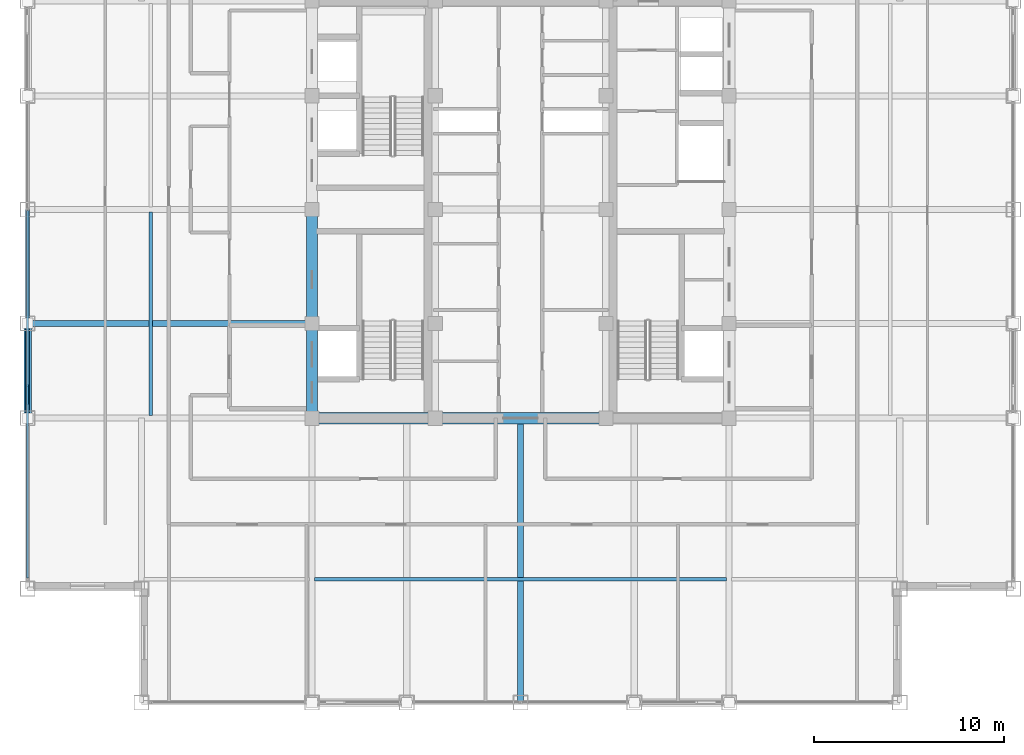
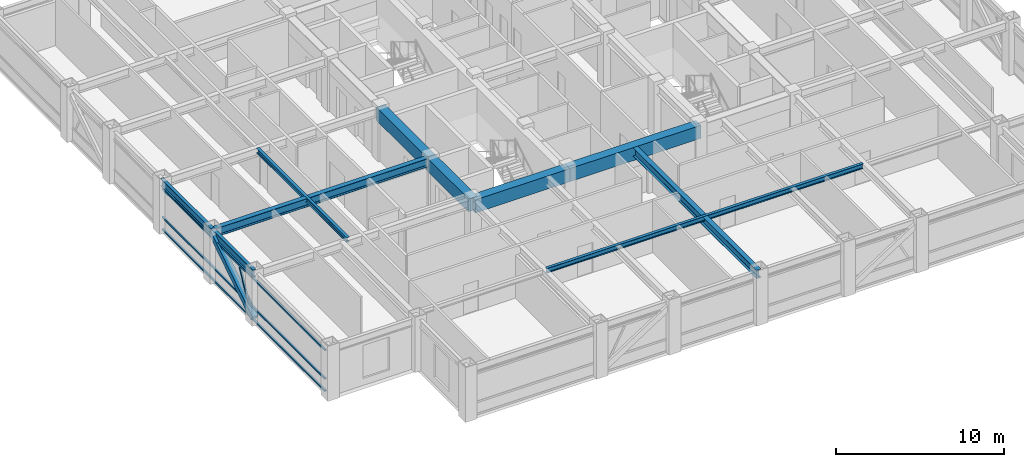
# One storey, part 5 of 28: 10 beams, 5 members, 1 element without a shape of its own.
"""IFC4 building model written with IfcOpenShell, lengths in metres."""

from ifc_helpers import new_model, si_unit, direction, frame, origin, origin_2d, place, context, subcontext, project, spatial, rectangle, hollow_rectangle, i_section, extrude, source, transform, mapped, material, material_profile, profile_set, type_object, element, aggregate, save


model = new_model("IFC4")

# Units and contexts
model_context = context("Model", 3, precision=1e-05, world=origin(), true_north=direction((0.0, 1.0)))
body_context = subcontext(model_context, "Body", "Model", "MODEL_VIEW")
ifc_project = project(units=[si_unit("LENGTHUNIT", "METRE"), si_unit("AREAUNIT", "SQUARE_METRE"), si_unit("VOLUMEUNIT", "CUBIC_METRE"), si_unit("PLANEANGLEUNIT", "RADIAN"), si_unit("MASSUNIT", "GRAM", prefix="KILO")], contexts=[model_context])

# Site, building, storey
site_placement = place(None, origin())
site = spatial("IfcSite", under=ifc_project, at=site_placement, CompositionType="ELEMENT")
building_placement = place(site_placement, origin())
building = spatial("IfcBuilding", under=site, at=building_placement, Name="Khorayat Bourse Tower", CompositionType="ELEMENT")
storey_placement = place(building_placement, frame((0.0, 0.0, 330.300048828125)))
storey = spatial("IfcBuildingStorey", under=building, at=storey_placement, Name="L78", CompositionType="ELEMENT", Elevation=330.300048828125)

# Beams
ifc_material_1 = material(Name="Concrete C60/75", Category="concrete")
ifc_material_profile_1 = material_profile(ifc_material_1, rectangle(XDim=0.60009765625, YDim=0.949951171875, at=origin_2d()), Name="RC 600x950")
ifc_profile_set_1 = profile_set([ifc_material_profile_1], Name="Concrete C60/75")
beam_type_1 = type_object("IfcBeamType", Name="BM-COUP-950", PredefinedType="BEAM", material=ifc_profile_set_1)
shared_shape_1 = source(origin(), body_context, "Body", "SweptSolid", [
    extrude(rectangle(XDim=0.60009765625, YDim=0.949951171875, at=origin_2d()), origin(), (0.0, 0.0, 1.0), 5.0),
])
beam_1_placement = place(storey_placement, frame((-11.0, -11.0, 3.264892578125), z_axis=(0.0, 1.0, 0.0), x_axis=(-1.0, 0.0, 0.0)))
element("IfcBeam", 1, at=beam_1_placement, inside=storey, type_object=beam_type_1, Name="L78 BM-COUP-950 BM-L78-CRX-01", PredefinedType="BEAM", context=body_context, shape_type="MappedRepresentation", body=[
    mapped(shared_shape_1, transform((0.0, 0.0, 0.0), scale=1.0)),
])
shared_shape_2 = source(origin(), body_context, "Body", "SweptSolid", [
    extrude(rectangle(XDim=0.60009765625, YDim=0.949951171875, at=origin_2d()), origin(), (0.0, 0.0, 1.0), 6.0),
])
beam_2_placement = place(storey_placement, frame((-11.0, -6.0, 3.264892578125), z_axis=(0.0, 1.0, 0.0), x_axis=(-1.0, 0.0, 0.0)))
element("IfcBeam", 2, at=beam_2_placement, inside=storey, type_object=beam_type_1, Name="L78 BM-COUP-950 BM-L78-CRX-02", PredefinedType="BEAM", context=body_context, shape_type="MappedRepresentation", body=[
    mapped(shared_shape_2, transform((0.0, 0.0, 0.0), scale=1.0)),
])
shared_shape_3 = source(origin(), body_context, "Body", "SweptSolid", [
    extrude(rectangle(XDim=0.60009765625, YDim=0.949951171875, at=origin_2d()), origin(), (0.0, 0.0, 1.0), 6.5),
])
beam_3_placement = place(storey_placement, frame((-11.0, -11.0, 3.264892578125), z_axis=(1.0, 0.0, 0.0), x_axis=(0.0, 1.0, 0.0)))
element("IfcBeam", 3, at=beam_3_placement, inside=storey, type_object=beam_type_1, Name="L78 BM-COUP-950 BM-L78-CRY-17", PredefinedType="BEAM", context=body_context, shape_type="MappedRepresentation", body=[
    mapped(shared_shape_3, transform((0.0, 0.0, 0.0), scale=1.0)),
])
shared_shape_4 = source(origin(), body_context, "Body", "SweptSolid", [
    extrude(rectangle(XDim=0.60009765625, YDim=0.949951171875, at=origin_2d()), origin(), (0.0, 0.0, 1.0), 9.0),
])
beam_4_placement = place(storey_placement, frame((-4.5, -11.0, 3.264892578125), z_axis=(1.0, 0.0, 0.0), x_axis=(0.0, 1.0, 0.0)))
element("IfcBeam", 4, at=beam_4_placement, inside=storey, type_object=beam_type_1, Name="L78 BM-COUP-950 BM-L78-CRY-18", PredefinedType="BEAM", context=body_context, shape_type="MappedRepresentation", body=[
    mapped(shared_shape_4, transform((0.0, 0.0, 0.0), scale=1.0)),
])
ifc_material_2 = material(Name="Steel ASTM A992 Grade 50", Category="steel")
ifc_material_profile_2 = material_profile(ifc_material_2, i_section(OverallWidth=0.202880859375, OverallDepth=0.346923828125, WebThickness=0.0078125, FlangeThickness=0.013427734375, FilletRadius=0.010009765625, at=origin_2d()), Name="W360X64")
ifc_profile_set_2 = profile_set([ifc_material_profile_2], Name="Steel ASTM A992 Grade 50")
beam_type_2 = type_object("IfcBeamType", Name="BM-JOIST-360", PredefinedType="JOIST", material=ifc_profile_set_2)
shared_shape_5 = source(origin(), body_context, "Body", "SweptSolid", [
    extrude(i_section(OverallWidth=0.202880859375, OverallDepth=0.346923828125, WebThickness=0.0078125, FlangeThickness=0.013427734375, FilletRadius=0.010009765625, at=origin_2d()), origin(), (0.0, 0.0, 1.0), 21.740234375),
])
beam_5_placement = place(storey_placement, frame((-10.8701171875, -19.5, 3.56640625), z_axis=(1.0, 0.0, 0.0), x_axis=(0.0, 1.0, 0.0)))
element("IfcBeam", 5, at=beam_5_placement, inside=storey, type_object=beam_type_2, Name="L78 BM-JOIST-360 BM-L78-JSTX-081", PredefinedType="JOIST", context=body_context, shape_type="MappedRepresentation", body=[
    mapped(shared_shape_5, transform((0.0, 0.0, 0.0), scale=1.0)),
])
shared_shape_6 = source(origin(), body_context, "Body", "SweptSolid", [
    extrude(i_section(OverallWidth=0.202880859375, OverallDepth=0.346923828125, WebThickness=0.0078125, FlangeThickness=0.013427734375, FilletRadius=0.010009765625, at=origin_2d()), origin(), (0.0, 0.0, 1.0), 10.740234375),
])
beam_6_placement = place(storey_placement, frame((-19.5, -10.8701171875, 3.56640625), z_axis=(0.0, 1.0, 0.0), x_axis=(-1.0, 0.0, 0.0)))
element("IfcBeam", 6, at=beam_6_placement, inside=storey, type_object=beam_type_2, Name="L78 BM-JOIST-360 BM-L78-JSTY-086", PredefinedType="JOIST", context=body_context, shape_type="MappedRepresentation", body=[
    mapped(shared_shape_6, transform((0.0, 0.0, 0.0), scale=1.0)),
])
ifc_material_profile_3 = material_profile(ifc_material_2, i_section(OverallWidth=0.214111328125, OverallDepth=0.549072265625, WebThickness=0.0146484375, FlangeThickness=0.023681640625, FilletRadius=0.013916015625, at=origin_2d()), Name="W530X138")
ifc_profile_set_3 = profile_set([ifc_material_profile_3], Name="Steel ASTM A992 Grade 50")
beam_type_3 = type_object("IfcBeamType", Name="BM-SPAN-530", PredefinedType="SPANDREL", material=ifc_profile_set_3)
shared_shape_7 = source(origin(), body_context, "Body", "SweptSolid", [
    extrude(i_section(OverallWidth=0.214111328125, OverallDepth=0.549072265625, WebThickness=0.0146484375, FlangeThickness=0.023681640625, FilletRadius=0.013916015625, at=origin_2d()), origin(), (0.0, 0.0, 1.0), 5.0),
])
beam_7_placement = place(storey_placement, frame((-26.0, -11.0, 3.46533203125), z_axis=(0.0, 1.0, 0.0), x_axis=(-1.0, 0.0, 0.0)))
element("IfcBeam", 7, at=beam_7_placement, inside=storey, type_object=beam_type_3, Name="L78 BM-SPAN-530 BM-L78-SPN-052", PredefinedType="SPANDREL", context=body_context, shape_type="MappedRepresentation", body=[
    mapped(shared_shape_7, transform((0.0, 0.0, 0.0), scale=1.0)),
])
shared_shape_8 = source(origin(), body_context, "Body", "SweptSolid", [
    extrude(i_section(OverallWidth=0.214111328125, OverallDepth=0.549072265625, WebThickness=0.0146484375, FlangeThickness=0.023681640625, FilletRadius=0.013916015625, at=origin_2d()), origin(), (0.0, 0.0, 1.0), 6.0),
])
beam_8_placement = place(storey_placement, frame((-26.0, -6.0, 3.46533203125), z_axis=(0.0, 1.0, 0.0), x_axis=(-1.0, 0.0, 0.0)))
element("IfcBeam", 8, at=beam_8_placement, inside=storey, type_object=beam_type_3, Name="L78 BM-SPAN-530 BM-L78-SPN-051", PredefinedType="SPANDREL", context=body_context, shape_type="MappedRepresentation", body=[
    mapped(shared_shape_8, transform((0.0, 0.0, 0.0), scale=1.0)),
])
ifc_material_profile_4 = material_profile(ifc_material_2, i_section(OverallWidth=0.324951171875, OverallDepth=0.615966796875, WebThickness=0.013916015625, FlangeThickness=0.021484375, FilletRadius=0.01611328125, at=origin_2d()), Name="W610X174")
ifc_profile_set_4 = profile_set([ifc_material_profile_4], Name="Steel ASTM A992 Grade 50")
beam_type_4 = type_object("IfcBeamType", Name="BM-GIRD-610", PredefinedType="BEAM", material=ifc_profile_set_4)
shared_shape_9 = source(origin(), body_context, "Body", "SweptSolid", [
    extrude(i_section(OverallWidth=0.324951171875, OverallDepth=0.615966796875, WebThickness=0.013916015625, FlangeThickness=0.021484375, FilletRadius=0.01611328125, at=origin_2d()), origin(), (0.0, 0.0, 1.0), 15.0),
])
for number, where, z_axis, x_axis, name in (
    (9, (0.0, -26.0, 3.431884765625), (0.0, 1.0, 0.0), (-1.0, 0.0, 0.0), "L78 BM-GIRD-610 BM-L78-RADY-061"),
    (10, (-26.0, -6.0, 3.431884765625), (1.0, 0.0, 0.0), (0.0, 1.0, 0.0), "L78 BM-GIRD-610 BM-L78-RADX-069"),
):
    element("IfcBeam", number, at=place(storey_placement, frame(where, z_axis=z_axis, x_axis=x_axis)), inside=storey, type_object=beam_type_4, Name=name, PredefinedType="BEAM", context=body_context, shape_type="MappedRepresentation", body=[
        mapped(shared_shape_9, transform((0.0, 0.0, 0.0), scale=1.0)),
    ])

# Member
ifc_material_3 = material(Name="Steel EN 10025-4 S460M", Category="steel")
ifc_material_profile_5 = material_profile(ifc_material_3, hollow_rectangle(XDim=0.39990234375, YDim=0.39990234375, WallThickness=0.02197265625, at=origin_2d()), Name="HSS 400x400x22")
ifc_profile_set_5 = profile_set([ifc_material_profile_5], Name="Steel EN 10025-4 S460M")
member_type_1 = type_object("IfcMemberType", Name="MBR-TUBE-400", PredefinedType="BRACE", material=ifc_profile_set_5)
shared_shape_10 = source(origin(), body_context, "Body", "SweptSolid", [
    extrude(hollow_rectangle(XDim=0.39990234375, YDim=0.39990234375, WallThickness=0.02197265625, at=origin_2d()), origin(), (0.0, 0.0, 1.0), 5.9580078125),
])
member_1_placement = place(storey_placement, frame((-26.0, -11.0, 0.25), z_axis=(0.0, 0.839210474455, 0.543806748364), x_axis=(-1.0, 0.0, 0.0)))
element("IfcMember", 11, at=member_1_placement, inside=storey, type_object=member_type_1, Name="L78 Perimeter Tube Brace 05", PredefinedType="BRACE", context=body_context, shape_type="MappedRepresentation", body=[
    mapped(shared_shape_10, transform((0.0, 0.0, 0.0), scale=1.0)),
])

# Curtain wall, members
ifc_material_4 = material(Name="Aluminium EN AW-6063 T6", Category="aluminium")
curtain_wall_type = type_object("IfcCurtainWallType", Name="CW-SYS-04", PredefinedType="NOTDEFINED", material=ifc_material_4)
curtain_wall_placement = place(storey_placement, origin())
curtain_wall = element("IfcCurtainWall", 12, at=curtain_wall_placement, inside=storey, type_object=curtain_wall_type, Name="L78 Curtain Wall CW-L78-W1", PredefinedType="NOTDEFINED")
ifc_material_profile_6 = material_profile(ifc_material_4, hollow_rectangle(XDim=0.1201171875, YDim=0.1201171875, WallThickness=0.0048828125, at=origin_2d()), Name="ALU 120x120x5")
ifc_profile_set_6 = profile_set([ifc_material_profile_6], Name="Aluminium EN AW-6063 T6")
member_type_2 = type_object("IfcMemberType", Name="CWM-DIAG-120", PredefinedType="MULLION", material=ifc_profile_set_6)
shared_shape_11 = source(origin(), body_context, "Body", "SweptSolid", [
    extrude(hollow_rectangle(XDim=0.1201171875, YDim=0.1201171875, WallThickness=0.0048828125, at=origin_2d()), origin(), (0.0, 0.0, 1.0), 2.0341796875),
])
member_2_placement = place(storey_placement, frame((-26.0, -10.21875, 1.08984375), z_axis=(0.0, 0.465790950955, 0.884894790361), x_axis=(-1.0, 0.0, 0.0)))
member_2 = element("IfcMember", 13, at=member_2_placement, type_object=member_type_2, Name="CW-L78-W1 Faceted Diagonal Mullion 1", PredefinedType="MULLION", context=body_context, shape_type="MappedRepresentation", body=[
    mapped(shared_shape_11, transform((0.0, 0.0, 0.0), scale=1.0)),
])
ifc_material_profile_7 = material_profile(ifc_material_4, hollow_rectangle(XDim=0.1201171875, YDim=0.1201171875, WallThickness=0.0048828125, at=origin_2d()), Name="ALU 120x120x5")
ifc_profile_set_7 = profile_set([ifc_material_profile_7], Name="Aluminium EN AW-6063 T6")
member_type_3 = type_object("IfcMemberType", Name="CWT-HORZ-120", PredefinedType="USERDEFINED", material=ifc_profile_set_7)
shared_shape_12 = source(origin(), body_context, "Body", "SweptSolid", [
    extrude(hollow_rectangle(XDim=0.1201171875, YDim=0.1201171875, WallThickness=0.0048828125, at=origin_2d()), origin(), (0.0, 0.0, 1.0), 19.369873046875),
])
member_3_placement = place(storey_placement, frame((-26.0, -19.429931640625, 0.06005859375), z_axis=(0.0, 1.0, 0.0), x_axis=(-1.0, 0.0, 0.0)))
member_3 = element("IfcMember", 14, at=member_3_placement, type_object=member_type_3, Name="CW-L78-W1 Horizontal Transom 1-1", ObjectType="TRANSOM", PredefinedType="USERDEFINED", context=body_context, shape_type="MappedRepresentation", body=[
    mapped(shared_shape_12, transform((0.0, 0.0, 0.0), scale=1.0)),
])
member_4_placement = place(storey_placement, frame((-26.0, -19.429931640625, 0.949951171875), z_axis=(0.0, 1.0, 0.0), x_axis=(-1.0, 0.0, 0.0)))
member_4 = element("IfcMember", 15, at=member_4_placement, type_object=member_type_3, Name="CW-L78-W1 Horizontal Transom 1-2", ObjectType="TRANSOM", PredefinedType="USERDEFINED", context=body_context, shape_type="MappedRepresentation", body=[
    mapped(shared_shape_12, transform((0.0, 0.0, 0.0), scale=1.0)),
])
member_5_placement = place(storey_placement, frame((-26.0, -19.429931640625, 3.030029296875), z_axis=(0.0, 1.0, 0.0), x_axis=(-1.0, 0.0, 0.0)))
member_5 = element("IfcMember", 16, at=member_5_placement, type_object=member_type_3, Name="CW-L78-W1 Horizontal Transom 1-3", ObjectType="TRANSOM", PredefinedType="USERDEFINED", context=body_context, shape_type="MappedRepresentation", body=[
    mapped(shared_shape_12, transform((0.0, 0.0, 0.0), scale=1.0)),
])
aggregate(curtain_wall, [member_3, member_4, member_5, member_2])

save(model, "model.ifc")
